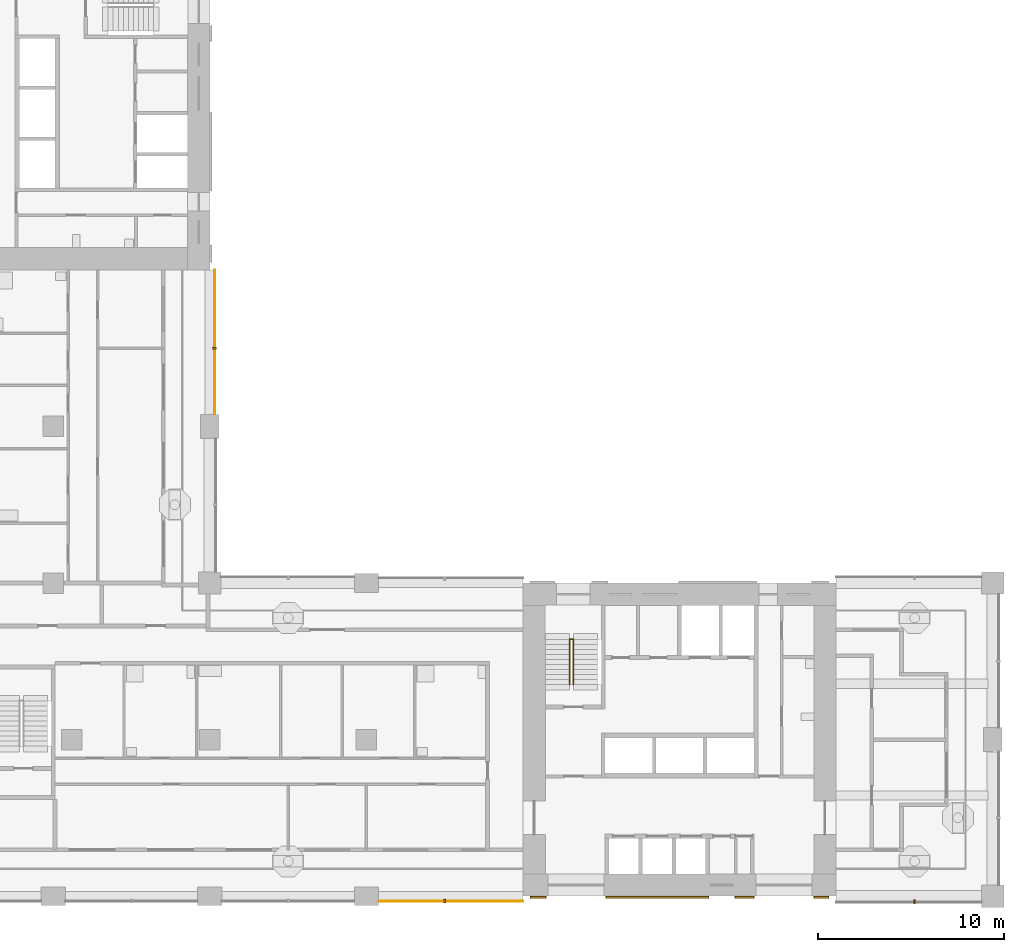
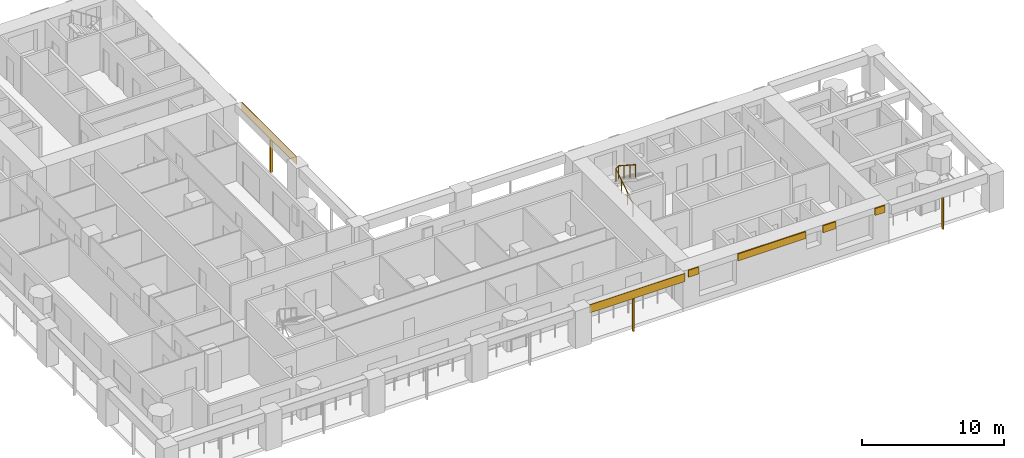
# One storey, part 11 of 18: 9 shading devices, 1 railing.
"""IFC4 building model written with IfcOpenShell, lengths in metres."""

from ifc_helpers import new_model, si_unit, direction, frame, origin, origin_2d, place, context, subcontext, project, spatial, rectangle, circle, extrude, material, layer, layer_set, material_profile, profile_set, type_object, element, save


model = new_model("IFC4")

# Units and contexts
model_context = context("Model", 3, precision=1e-05, world=origin(), true_north=direction((0.0, 1.0)))
body_context = subcontext(model_context, "Body", "Model", "MODEL_VIEW")
ifc_project = project(units=[si_unit("LENGTHUNIT", "METRE"), si_unit("AREAUNIT", "SQUARE_METRE"), si_unit("VOLUMEUNIT", "CUBIC_METRE"), si_unit("PLANEANGLEUNIT", "RADIAN"), si_unit("MASSUNIT", "GRAM", prefix="KILO")], contexts=[model_context])

# Site, building, storey
site_placement = place(None, origin())
site = spatial("IfcSite", under=ifc_project, at=site_placement, CompositionType="ELEMENT")
building_placement = place(site_placement, origin())
building = spatial("IfcBuilding", under=site, at=building_placement, Name="Vermilion Gate Residences", CompositionType="ELEMENT")
storey_placement = place(building_placement, frame((0.0, 0.0, 133.699951171875)))
storey = spatial("IfcBuildingStorey", under=building, at=storey_placement, Name="L34", CompositionType="ELEMENT", Elevation=133.699951171875)

# Shading devices
ifc_material_1 = material(Name="Perforated terracotta", Category="masonry")
ifc_layer_1 = layer(ifc_material_1, 0.0400390625)
ifc_layer_set_1 = layer_set([ifc_layer_1], Name="PERFORATED TERRACOTTA SCREEN 40")
shading_device_type_1 = type_object("IfcShadingDeviceType", Name="PERFORATED TERRACOTTA SCREEN 40", PredefinedType="SHUTTER", material=ifc_layer_set_1)
for number, where, z_axis, x_axis, name in (
    (1, (38.125, 8.1298828125, 2.52001953125), (0.0, 0.0, 1.0), (1.0, 0.0, 0.0), "SCREEN"),
    (2, (25.469970703125, 38.125, 2.52001953125), (0.0, 0.0, 1.0), (0.0, 1.0, 0.0), "SCREEN"),
):
    element("IfcShadingDevice", number, at=place(storey_placement, frame(where, z_axis=z_axis, x_axis=x_axis)), inside=storey, type_object=shading_device_type_1, Name=name, PredefinedType="SHUTTER", context=body_context, shape_type="SweptSolid", body=[
        extrude(rectangle(XDim=7.75, YDim=0.0400390625, at=origin_2d()), origin(), (0.0, 0.0, 1.0), 0.699951171875),
    ])

# Railing
ifc_material_2 = material(Name="Steel S355", Category="steel")
railing_type = type_object("IfcRailingType", Name="STAIR GUARD 1100 STEEL", PredefinedType="GUARDRAIL", material=ifc_material_2)
railing_placement = place(storey_placement, frame((44.5, 19.75, 0.175048828125)))
element("IfcRailing", 3, at=railing_placement, inside=storey, type_object=railing_type, Name="Stair well guard STA1-34", PredefinedType="GUARDRAIL", context=body_context, shape_type="SweptSolid", body=[
    extrude(circle(Radius=0.02392578125, at=origin_2d()), frame((0.0, 0.0, 1.076171875), z_axis=(0.0, 0.839153699163, 0.543894354798), x_axis=(-1.0, 0.0, 0.0)), (0.0, 0.0, 1.0), 2.895751953125),
    extrude(circle(Radius=0.02392578125, at=origin_2d()), frame((0.0, 2.429931640625, 2.65087890625), z_axis=(0.752405939678, 0.0, 0.658699705433), x_axis=(0.0, 1.0, 0.0)), (0.0, 0.0, 1.0), 0.265869140625),
    extrude(circle(Radius=0.02392578125, at=origin_2d()), frame((0.199951171875, 2.429931640625, 2.826171875), z_axis=(0.0, -0.839153699163, 0.543894354798), x_axis=(1.0, 0.0, 0.0)), (0.0, 0.0, 1.0), 2.895751953125),
    extrude(circle(Radius=0.02099609375, at=origin_2d()), origin(), (0.0, 0.0, 1.0), 1.052001953125),
    extrude(circle(Radius=0.02099609375, at=origin_2d()), frame((0.0, 0.81005859375, 0.52490234375)), (0.0, 0.0, 1.0), 1.052001953125),
    extrude(circle(Radius=0.02099609375, at=origin_2d()), frame((0.0, 1.619873046875, 1.050048828125)), (0.0, 0.0, 1.0), 1.052001953125),
    extrude(circle(Radius=0.02099609375, at=origin_2d()), frame((0.0, 2.429931640625, 1.574951171875)), (0.0, 0.0, 1.0), 1.052001953125),
    extrude(circle(Radius=0.02099609375, at=origin_2d()), frame((0.199951171875, 2.429931640625, 1.75)), (0.0, 0.0, 1.0), 1.052001953125),
    extrude(circle(Radius=0.02099609375, at=origin_2d()), frame((0.199951171875, 1.619873046875, 2.27490234375)), (0.0, 0.0, 1.0), 1.052001953125),
    extrude(circle(Radius=0.02099609375, at=origin_2d()), frame((0.199951171875, 0.81005859375, 2.800048828125)), (0.0, 0.0, 1.0), 1.052001953125),
    extrude(circle(Radius=0.02099609375, at=origin_2d()), frame((0.199951171875, 0.0, 3.324951171875)), (0.0, 0.0, 1.0), 1.052001953125),
])

# Shading devices
ifc_material_3 = material(Name="Extruded terracotta", Category="masonry")
ifc_material_profile = material_profile(ifc_material_3, rectangle(XDim=0.199951171875, YDim=0.10009765625, at=origin_2d()), Name="BAGUETTE 100 X 200")
ifc_profile_set = profile_set([ifc_material_profile], Name="Extruded terracotta")
shading_device_type_2 = type_object("IfcShadingDeviceType", Name="TERRACOTTA BAGUETTE 100 X 200", PredefinedType="JALOUSIE", material=ifc_profile_set)
shading_device_1_placement = place(storey_placement, frame((37.800048828125, 8.14990234375, -0.280029296875), z_axis=(0.0, 0.0, 1.0), x_axis=(0.0, 1.0, 0.0)))
element("IfcShadingDevice", 4, at=shading_device_1_placement, inside=storey, type_object=shading_device_type_2, Name="BAGUETTE", PredefinedType="JALOUSIE", context=body_context, shape_type="SweptSolid", body=[
    extrude(rectangle(XDim=0.199951171875, YDim=0.10009765625, at=origin_2d()), origin(), (0.0, 0.0, 1.0), 2.800048828125),
])
shading_device_2_placement = place(storey_placement, frame((63.0, 8.10009765625, -0.280029296875), z_axis=(0.0, 0.0, 1.0), x_axis=(0.0, 1.0, 0.0)))
element("IfcShadingDevice", 5, at=shading_device_2_placement, inside=storey, type_object=shading_device_type_2, Name="BAGUETTE", PredefinedType="JALOUSIE", context=body_context, shape_type="SweptSolid", body=[
    extrude(rectangle(XDim=0.199951171875, YDim=0.10009765625, at=origin_2d()), origin(), (0.0, 0.0, 1.0), 2.7001953125),
])
shading_device_3_placement = place(storey_placement, frame((25.449951171875, 37.800048828125, -0.280029296875), z_axis=(0.0, 0.0, 1.0), x_axis=(-1.0, 0.0, 0.0)))
element("IfcShadingDevice", 6, at=shading_device_3_placement, inside=storey, type_object=shading_device_type_2, Name="BAGUETTE", PredefinedType="JALOUSIE", context=body_context, shape_type="SweptSolid", body=[
    extrude(rectangle(XDim=0.199951171875, YDim=0.10009765625, at=origin_2d()), origin(), (0.0, 0.0, 1.0), 2.800048828125),
])
ifc_material_4 = material(Name="Extruded terracotta", Category="masonry")
ifc_layer_2 = layer(ifc_material_4, 0.10009765625)
ifc_layer_set_2 = layer_set([ifc_layer_2], Name="TERRACOTTA SPANDREL BAND 600 X 100")
shading_device_type_3 = type_object("IfcShadingDeviceType", Name="TERRACOTTA SPANDREL BAND 600 X 100", PredefinedType="USERDEFINED", material=ifc_layer_set_2)
shading_device_4_placement = place(storey_placement, frame((42.824951171875, 8.35009765625, 2.6201171875), z_axis=(0.0, 0.0, 1.0), x_axis=(1.0, 0.0, 0.0)))
element("IfcShadingDevice", 7, at=shading_device_4_placement, inside=storey, type_object=shading_device_type_3, Name="SPANDREL BAND", ObjectType="BAND", PredefinedType="USERDEFINED", context=body_context, shape_type="SweptSolid", body=[
    extrude(rectangle(XDim=0.85009765625, YDim=0.10009765625, at=origin_2d()), origin(), (0.0, 0.0, 1.0), 0.60009765625),
])
shading_device_5_placement = place(storey_placement, frame((49.199951171875, 8.35009765625, 2.6201171875), z_axis=(0.0, 0.0, 1.0), x_axis=(1.0, 0.0, 0.0)))
element("IfcShadingDevice", 8, at=shading_device_5_placement, inside=storey, type_object=shading_device_type_3, Name="SPANDREL BAND", ObjectType="BAND", PredefinedType="USERDEFINED", context=body_context, shape_type="SweptSolid", body=[
    extrude(rectangle(XDim=5.5, YDim=0.10009765625, at=origin_2d()), origin(), (0.0, 0.0, 1.0), 0.60009765625),
])
shading_device_6_placement = place(storey_placement, frame((53.875, 8.35009765625, 2.6201171875), z_axis=(0.0, 0.0, 1.0), x_axis=(1.0, 0.0, 0.0)))
element("IfcShadingDevice", 9, at=shading_device_6_placement, inside=storey, type_object=shading_device_type_3, Name="SPANDREL BAND", ObjectType="BAND", PredefinedType="USERDEFINED", context=body_context, shape_type="SweptSolid", body=[
    extrude(rectangle(XDim=1.050048828125, YDim=0.10009765625, at=origin_2d()), origin(), (0.0, 0.0, 1.0), 0.60009765625),
])
shading_device_7_placement = place(storey_placement, frame((58.0, 8.35009765625, 2.6201171875), z_axis=(0.0, 0.0, 1.0), x_axis=(1.0, 0.0, 0.0)))
element("IfcShadingDevice", 10, at=shading_device_7_placement, inside=storey, type_object=shading_device_type_3, Name="SPANDREL BAND", ObjectType="BAND", PredefinedType="USERDEFINED", context=body_context, shape_type="SweptSolid", body=[
    extrude(rectangle(XDim=0.800048828125, YDim=0.10009765625, at=origin_2d()), origin(), (0.0, 0.0, 1.0), 0.60009765625),
])

save(model, "model.ifc")
